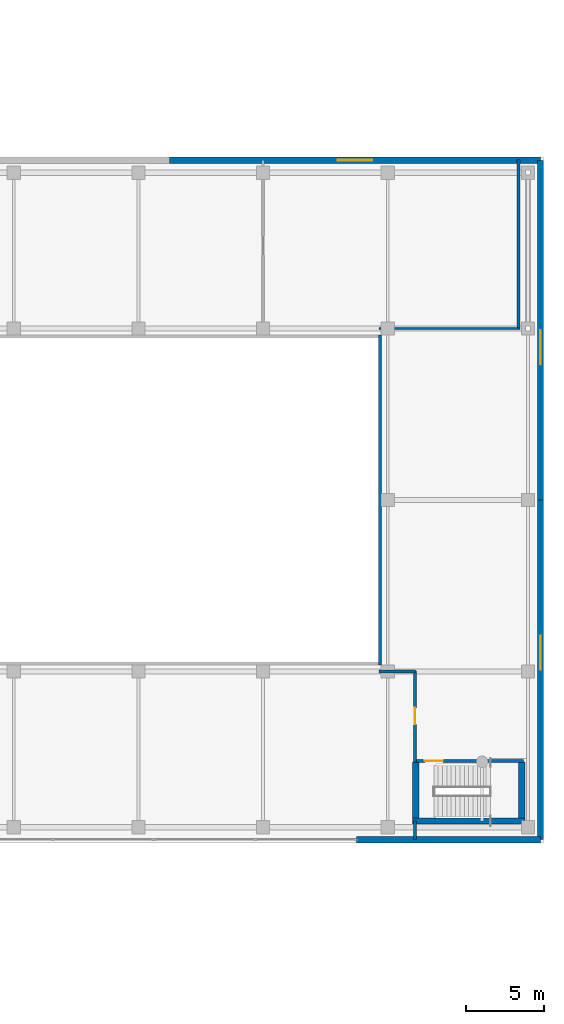
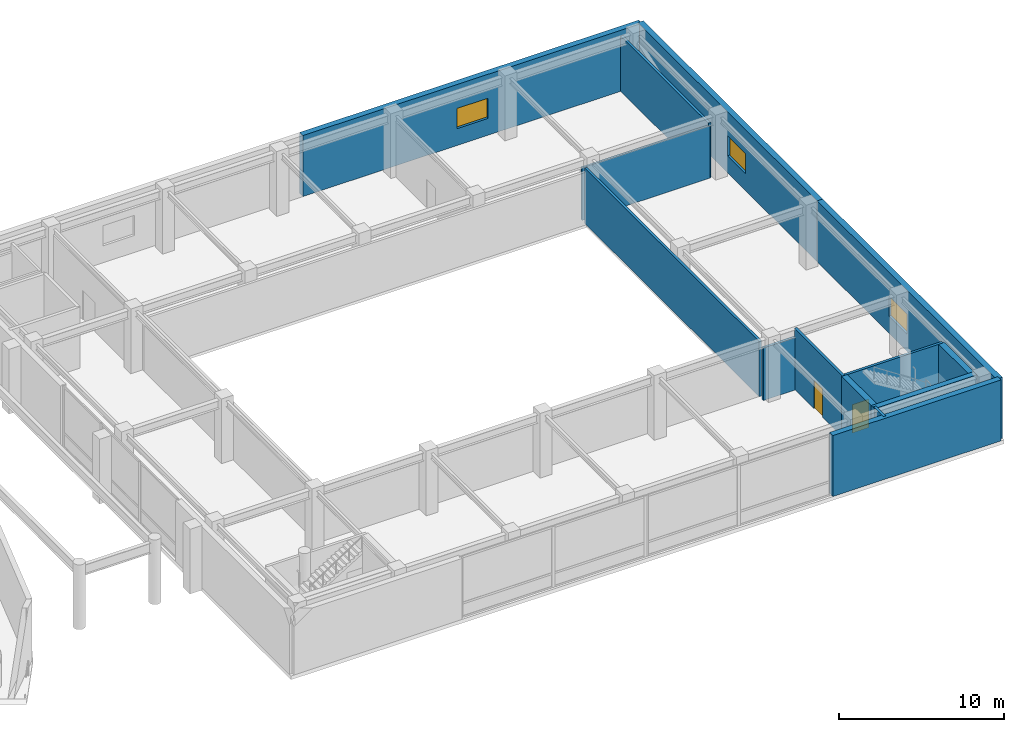
# One storey, part 31 of 40: 14 walls, 3 windows, 2 doors, 5 openings.
"""IFC4 building model written with IfcOpenShell, lengths in metres."""

from ifc_helpers import new_model, si_unit, direction, frame, frame_2d, origin, place, context, subcontext, project, spatial, rectangle, extrude, material, layer, layer_set, type_object, element, fill, save


model = new_model("IFC4")

# Units and contexts
model_context = context("Model", 3, precision=1e-05, world=origin(), true_north=direction((0.0, 1.0)))
body_context = subcontext(model_context, "Body", "Model", "MODEL_VIEW")
ifc_project = project(units=[si_unit("LENGTHUNIT", "METRE"), si_unit("AREAUNIT", "SQUARE_METRE"), si_unit("VOLUMEUNIT", "CUBIC_METRE"), si_unit("PLANEANGLEUNIT", "RADIAN"), si_unit("MASSUNIT", "GRAM", prefix="KILO")], contexts=[model_context])

# Site, building, storey
site_placement = place(None, origin())
site = spatial("IfcSite", under=ifc_project, at=site_placement, CompositionType="ELEMENT")
building_placement = place(site_placement, origin())
building = spatial("IfcBuilding", under=site, at=building_placement, Name="Kazevale Care Tower and Concert Hall", CompositionType="ELEMENT")
storey_placement = place(building_placement, frame((0.0, 0.0, 9.60009765625)))
storey = spatial("IfcBuildingStorey", under=building, at=storey_placement, Name="L02", CompositionType="ELEMENT", Elevation=9.60009765625)

# Walls
ifc_material_1 = material(Name="Acoustic Gypsum on Steel Stud", Category="steel")
ifc_layer_1 = layer(ifc_material_1, 0.139892578125)
ifc_layer_set_1 = layer_set([ifc_layer_1], Name="Acoustic Gypsum on Steel Stud")
wall_type_1 = type_object("IfcWallType", Name="Acoustic Care & Suite Partition 140", PredefinedType="PARTITIONING", material=ifc_layer_set_1)
wall_1_placement = place(storey_placement, frame((144.3798828125, 47.0, 0.0), z_axis=(0.0, 0.0, 1.0), x_axis=(-1.0, 0.0, 0.0)))
element("IfcWall", 1, at=wall_1_placement, inside=storey, type_object=wall_type_1, Name="wall:L02:auto_031", PredefinedType="PARTITIONING", context=body_context, shape_type="SweptSolid", body=[
    extrude(rectangle(XDim=8.94482421875, YDim=0.139892578125, at=frame_2d((4.472412109375, 0.0))), origin(), (0.0, 0.0, 1.0), 3.89892578125),
])
ifc_material_2 = material(Name="Concrete C40 with Honed Limestone Cladding", Category="masonry")
ifc_layer_2 = layer(ifc_material_2, 0.39990234375)
ifc_layer_set_2 = layer_set([ifc_layer_2], Name="Concrete C40 with Honed Limestone Cladding")
wall_type_2 = type_object("IfcWallType", Name="Concert Hall Acoustic Limestone Wall 400", PredefinedType="STANDARD", material=ifc_layer_set_2)
wall_2_placement = place(storey_placement, frame((134.0, 14.199951171875, 0.0), z_axis=(0.0, 0.0, 1.0), x_axis=(1.0, 0.0, 0.0)))
element("IfcWall", 2, at=wall_2_placement, inside=storey, type_object=wall_type_2, Name="wall:L02:hallew:S4", PredefinedType="STANDARD", context=body_context, shape_type="SweptSolid", body=[
    extrude(rectangle(XDim=11.800048828125, YDim=0.39990234375, at=frame_2d((5.89990234375, 0.0))), origin(), (0.0, 0.0, 1.0), 4.52001953125),
])

# Wall, opening, window
wall_3_placement = place(storey_placement, frame((145.800048828125, 14.199951171875, 0.0), z_axis=(0.0, 0.0, 1.0), x_axis=(0.0, 1.0, 0.0)))
wall_3 = element("IfcWall", 3, at=wall_3_placement, inside=storey, type_object=wall_type_2, Name="wall:L02:hallew:E1", PredefinedType="STANDARD", context=body_context, shape_type="SweptSolid", body=[
    extrude(rectangle(XDim=21.800048828125, YDim=0.39990234375, at=frame_2d((10.89990234375, 0.0))), origin(), (0.0, 0.0, 1.0), 4.52001953125),
])
opening_1_placement = place(wall_3_placement, frame((10.89990234375, 0.0, 1.25)))
opening_1 = element("IfcOpeningElement", 4, at=opening_1_placement, cuts=wall_3, Name="Opening WIN-3", PredefinedType="OPENING", context=body_context, shape_type="SweptSolid", body=[
    extrude(rectangle(XDim=2.199951171875, YDim=1.5, at=frame_2d((1.10009765625, 0.75))), frame((0.0, 0.2099609375, 0.0), z_axis=(0.0, -1.0, 0.0), x_axis=(1.0, 0.0, 0.0)), (0.0, 0.0, 1.0), 0.419921875),
])
ifc_material_3 = material(Name="Low-E Laminated Glass", Category="glass")
window_type = type_object("IfcWindowType", Name="Concert Hall Clerestory Window 2200x1500", PartitioningType="TRIPLE_PANEL_VERTICAL", PredefinedType="WINDOW", material=ifc_material_3)
window_1_placement = place(opening_1_placement, origin())
window_1 = element("IfcWindow", 5, at=window_1_placement, inside=storey, type_object=window_type, Name="win:L02:hall:E1", OverallHeight=1.5, OverallWidth=2.199951171875, PartitioningType="SINGLE_PANEL", PredefinedType="WINDOW", context=body_context, shape_type="SweptSolid", body=[
    extrude(rectangle(XDim=2.199951171875, YDim=1.5, at=frame_2d((1.10009765625, 0.75))), frame((0.0, 0.030029296875, 0.0), z_axis=(0.0, -1.0, 0.0), x_axis=(1.0, 0.0, 0.0)), (0.0, 0.0, 1.0), 0.06005859375),
])
fill(opening_1, window_1)

wall_4_placement = place(storey_placement, frame((145.800048828125, 36.0, 0.0), z_axis=(0.0, 0.0, 1.0), x_axis=(0.0, 1.0, 0.0)))
wall_4 = element("IfcWall", 6, at=wall_4_placement, inside=storey, type_object=wall_type_2, Name="wall:L02:hallew:E2", PredefinedType="STANDARD", context=body_context, shape_type="SweptSolid", body=[
    extrude(rectangle(XDim=21.800048828125, YDim=0.39990234375, at=frame_2d((10.89990234375, 0.0))), origin(), (0.0, 0.0, 1.0), 4.52001953125),
])
opening_2_placement = place(wall_4_placement, frame((8.699951171875, 0.0, 1.25)))
opening_2 = element("IfcOpeningElement", 7, at=opening_2_placement, cuts=wall_4, Name="Opening WIN-3", PredefinedType="OPENING", context=body_context, shape_type="SweptSolid", body=[
    extrude(rectangle(XDim=2.199951171875, YDim=1.5, at=frame_2d((1.10009765625, 0.75))), frame((0.0, 0.2099609375, 0.0), z_axis=(0.0, -1.0, 0.0), x_axis=(1.0, 0.0, 0.0)), (0.0, 0.0, 1.0), 0.419921875),
])
window_2_placement = place(opening_2_placement, origin())
window_2 = element("IfcWindow", 8, at=window_2_placement, inside=storey, type_object=window_type, Name="win:L02:hall:E2", OverallHeight=1.5, OverallWidth=2.199951171875, PartitioningType="SINGLE_PANEL", PredefinedType="WINDOW", context=body_context, shape_type="SweptSolid", body=[
    extrude(rectangle(XDim=2.199951171875, YDim=1.5, at=frame_2d((1.10009765625, 0.75))), frame((0.0, 0.030029296875, 0.0), z_axis=(0.0, -1.0, 0.0), x_axis=(1.0, 0.0, 0.0)), (0.0, 0.0, 1.0), 0.06005859375),
])
fill(opening_2, window_2)

wall_5_placement = place(storey_placement, frame((145.800048828125, 57.800048828125, 0.0), z_axis=(0.0, 0.0, 1.0), x_axis=(-1.0, 0.0, 0.0)))
wall_5 = element("IfcWall", 9, at=wall_5_placement, inside=storey, type_object=wall_type_2, Name="wall:L02:hallew:N1", PredefinedType="STANDARD", context=body_context, shape_type="SweptSolid", body=[
    extrude(rectangle(XDim=23.800048828125, YDim=0.39990234375, at=frame_2d((11.89990234375, 0.0))), origin(), (0.0, 0.0, 1.0), 4.52001953125),
])
opening_3_placement = place(wall_5_placement, frame((10.800048828125, 0.0, 1.25)))
opening_3 = element("IfcOpeningElement", 10, at=opening_3_placement, cuts=wall_5, Name="Opening WIN-3", PredefinedType="OPENING", context=body_context, shape_type="SweptSolid", body=[
    extrude(rectangle(XDim=2.199951171875, YDim=1.5, at=frame_2d((1.10009765625, 0.75))), frame((0.0, 0.2099609375, 0.0), z_axis=(0.0, -1.0, 0.0), x_axis=(1.0, 0.0, 0.0)), (0.0, 0.0, 1.0), 0.419921875),
])
window_3_placement = place(opening_3_placement, origin())
window_3 = element("IfcWindow", 11, at=window_3_placement, inside=storey, type_object=window_type, Name="win:L02:hall:N1", OverallHeight=1.5, OverallWidth=2.199951171875, PartitioningType="SINGLE_PANEL", PredefinedType="WINDOW", context=body_context, shape_type="SweptSolid", body=[
    extrude(rectangle(XDim=2.199951171875, YDim=1.5, at=frame_2d((1.10009765625, 0.75))), frame((0.0, 0.030029296875, 0.0), z_axis=(0.0, -1.0, 0.0), x_axis=(1.0, 0.0, 0.0)), (0.0, 0.0, 1.0), 0.06005859375),
])
fill(opening_3, window_3)

# Walls
ifc_material_4 = material(Name="Concrete C50", Category="concrete")
ifc_layer_3 = layer(ifc_material_4, 0.39990234375)
ifc_layer_set_3 = layer_set([ifc_layer_3], Name="Concrete C50")
wall_type_3 = type_object("IfcWallType", Name="Concert Hall Shear Core Wall 400 C50", PredefinedType="SHEAR", material=ifc_layer_set_3)
wall_6_placement = place(storey_placement, frame((137.60009765625, 15.39990234375, 0.0), z_axis=(0.0, 0.0, 1.0), x_axis=(1.0, 0.0, 0.0)))
element("IfcWall", 12, at=wall_6_placement, inside=storey, type_object=wall_type_3, Name="wall:L02:ST5:S", PredefinedType="SHEAR", context=body_context, shape_type="SweptSolid", body=[
    extrude(rectangle(XDim=7.199951171875, YDim=0.39990234375, at=frame_2d((3.60009765625, 0.0))), origin(), (0.0, 0.0, 1.0), 4.52001953125),
])
for number, where, z_axis, x_axis, name in (
    (13, (137.800048828125, 15.60009765625, 0.0), (0.0, 0.0, 1.0), (0.0, 1.0, 0.0), "wall:L02:ST5:W"),
    (14, (144.60009765625, 15.60009765625, 0.0), (0.0, 0.0, 1.0), (0.0, 1.0, 0.0), "wall:L02:ST5:E"),
):
    element("IfcWall", number, at=place(storey_placement, frame(where, z_axis=z_axis, x_axis=x_axis)), inside=storey, type_object=wall_type_3, Name=name, PredefinedType="SHEAR", context=body_context, shape_type="SweptSolid", body=[
        extrude(rectangle(XDim=3.599853515625, YDim=0.39990234375, at=frame_2d((1.7998046875, 0.0))), origin(), (0.0, 0.0, 1.0), 4.52001953125),
    ])

# Wall, opening, door
ifc_material_5 = material(Name="Concrete C40 and Acoustic Gypsum", Category="concrete")
ifc_layer_4 = layer(ifc_material_5, 0.179931640625)
ifc_layer_set_4 = layer_set([ifc_layer_4], Name="Concrete C40 and Acoustic Gypsum")
wall_type_4 = type_object("IfcWallType", Name="Fire-Rated Corridor & Party Wall 180", PredefinedType="PARTITIONING", material=ifc_layer_set_4)
wall_7_placement = place(storey_placement, frame((137.699951171875, 19.25, 0.0), z_axis=(0.0, 0.0, 1.0), x_axis=(1.0, 0.0, 0.0)))
wall_7 = element("IfcWall", 15, at=wall_7_placement, inside=storey, type_object=wall_type_4, Name="wall:L02:hall_st5_n", PredefinedType="PARTITIONING", context=body_context, shape_type="SweptSolid", body=[
    extrude(rectangle(XDim=7.0, YDim=0.179931640625, at=frame_2d((3.5, 0.0))), origin(), (0.0, 0.0, 1.0), 4.52001953125),
])
opening_4_placement = place(wall_7_placement, frame((0.68505859375, 0.0, 0.0)))
opening_4 = element("IfcOpeningElement", 16, at=opening_4_placement, cuts=wall_7, Name="Opening FD-90", PredefinedType="OPENING", context=body_context, shape_type="SweptSolid", body=[
    extrude(rectangle(XDim=1.14990234375, YDim=2.10009765625, at=frame_2d((0.574951171875, 1.050048828125))), frame((0.0, 0.099853515625, 0.0), z_axis=(0.0, -1.0, 0.0), x_axis=(1.0, 0.0, 0.0)), (0.0, 0.0, 1.0), 0.199951171875),
])
ifc_material_6 = material(Name="Steel ASTM A572 Gr 50", Category="steel")
door_type_1 = type_object("IfcDoorType", Name="Pressurized Stair & Lobby Fire Door 1150x2100", OperationType="NOTDEFINED", PredefinedType="DOOR", material=ifc_material_6)
door_1_placement = place(opening_4_placement, origin())
door_1 = element("IfcDoor", 17, at=door_1_placement, inside=storey, type_object=door_type_1, Name="door:L02:hst5", OperationType="SINGLE_SWING_LEFT", OverallHeight=2.10009765625, OverallWidth=1.14990234375, PredefinedType="DOOR", context=body_context, shape_type="SweptSolid", body=[
    extrude(rectangle(XDim=1.14990234375, YDim=2.10009765625, at=frame_2d((0.574951171875, 1.050048828125))), frame((0.0, 0.02490234375, 0.0), z_axis=(0.0, -1.0, 0.0), x_axis=(1.0, 0.0, 0.0)), (0.0, 0.0, 1.0), 0.050048828125),
])
fill(opening_4, door_1)

# Walls
wall_8_placement = place(storey_placement, frame((135.5, 25.39990234375, 0.0), z_axis=(0.0, 0.0, 1.0), x_axis=(0.0, 1.0, 0.0)))
element("IfcWall", 18, at=wall_8_placement, inside=storey, type_object=wall_type_4, Name="wall:L02:hvoid_e", PredefinedType="PARTITIONING", context=body_context, shape_type="SweptSolid", body=[
    extrude(rectangle(XDim=21.2001953125, YDim=0.179931640625, at=frame_2d((10.60009765625, 0.0))), origin(), (0.0, 0.0, 1.0), 4.093017578125),
])
wall_9_placement = place(storey_placement, frame((144.3798828125, 46.949951171875, 0.0), z_axis=(0.0, 0.0, 1.0), x_axis=(0.0, 1.0, 0.0)))
element("IfcWall", 19, at=wall_9_placement, inside=storey, type_object=wall_type_4, Name="wall:L02:hbrace_chase_e", PredefinedType="PARTITIONING", context=body_context, shape_type="SweptSolid", body=[
    extrude(rectangle(XDim=10.900146484375, YDim=0.179931640625, at=frame_2d((5.4501953125, 0.0))), origin(), (0.0, 0.0, 1.0), 4.093017578125),
])

# Wall, opening, door
wall_10_placement = place(storey_placement, frame((137.75, 25.030029296875, 0.0), z_axis=(0.0, 0.0, 1.0), x_axis=(0.0, -1.0, 0.0)))
wall_10 = element("IfcWall", 20, at=wall_10_placement, inside=storey, type_object=wall_type_4, Name="wall:L02:auto_027", PredefinedType="PARTITIONING", context=body_context, shape_type="SweptSolid", body=[
    extrude(rectangle(XDim=5.844970703125, YDim=0.179931640625, at=frame_2d((2.92236328125, 0.0))), origin(), (0.0, 0.0, 1.0), 4.52001953125),
])
opening_5_placement = place(wall_10_placement, frame((2.3720703125, 0.0, 0.0)))
opening_5 = element("IfcOpeningElement", 21, at=opening_5_placement, cuts=wall_10, Name="Opening FD-60", PredefinedType="OPENING", context=body_context, shape_type="SweptSolid", body=[
    extrude(rectangle(XDim=1.050048828125, YDim=2.10009765625, at=frame_2d((0.52490234375, 1.050048828125))), frame((0.0, 0.099853515625, 0.0), z_axis=(0.0, -1.0, 0.0), x_axis=(1.0, 0.0, 0.0)), (0.0, 0.0, 1.0), 0.199951171875),
])
ifc_material_7 = material(Name="Oak Timber Fire Leaf", Category="wood")
door_type_2 = type_object("IfcDoorType", Name="Apartment & Corridor Fire Door 1050x2100", OperationType="NOTDEFINED", PredefinedType="DOOR", material=ifc_material_7)
door_2_placement = place(opening_5_placement, origin())
door_2 = element("IfcDoor", 22, at=door_2_placement, inside=storey, type_object=door_type_2, Name="door:L02:ad_027", OperationType="SINGLE_SWING_LEFT", OverallHeight=2.10009765625, OverallWidth=1.050048828125, PredefinedType="DOOR", context=body_context, shape_type="SweptSolid", body=[
    extrude(rectangle(XDim=1.050048828125, YDim=2.10009765625, at=frame_2d((0.52490234375, 1.050048828125))), frame((0.0, 0.02490234375, 0.0), z_axis=(0.0, -1.0, 0.0), x_axis=(1.0, 0.0, 0.0)), (0.0, 0.0, 1.0), 0.050048828125),
])
fill(opening_5, door_2)

# Walls
wall_11_placement = place(storey_placement, frame((135.43505859375, 25.0, 0.0), z_axis=(0.0, 0.0, 1.0), x_axis=(1.0, 0.0, 0.0)))
element("IfcWall", 23, at=wall_11_placement, inside=storey, type_object=wall_type_4, Name="wall:L02:auto_028", PredefinedType="PARTITIONING", context=body_context, shape_type="SweptSolid", body=[
    extrude(rectangle(XDim=2.344970703125, YDim=0.179931640625, at=frame_2d((1.17236328125, 0.0))), origin(), (0.0, 0.0, 1.0), 3.89892578125),
])
wall_12_placement = place(storey_placement, frame((137.75, 15.4150390625, 0.0), z_axis=(0.0, 0.0, 1.0), x_axis=(0.0, -1.0, 0.0)))
element("IfcWall", 24, at=wall_12_placement, inside=storey, type_object=wall_type_4, Name="wall:L02:auto_029", PredefinedType="PARTITIONING", context=body_context, shape_type="SweptSolid", body=[
    extrude(rectangle(XDim=1.205078125, YDim=0.179931640625, at=frame_2d((0.6025390625, 0.0))), origin(), (0.0, 0.0, 1.0), 4.52001953125),
])

save(model, "model.ifc")
